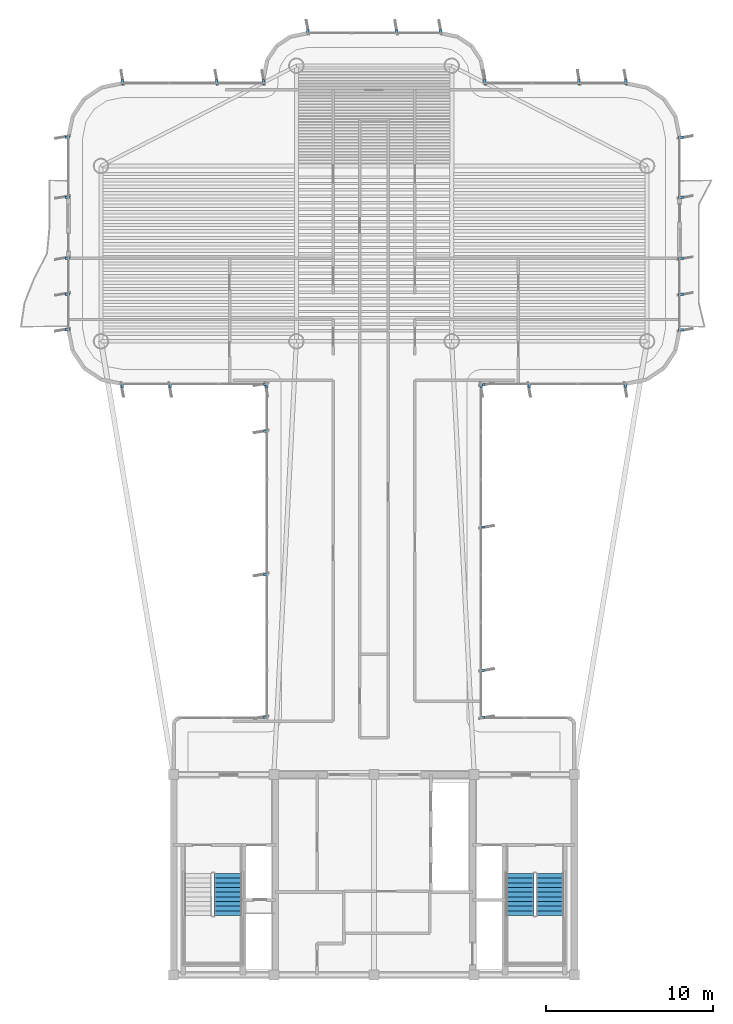
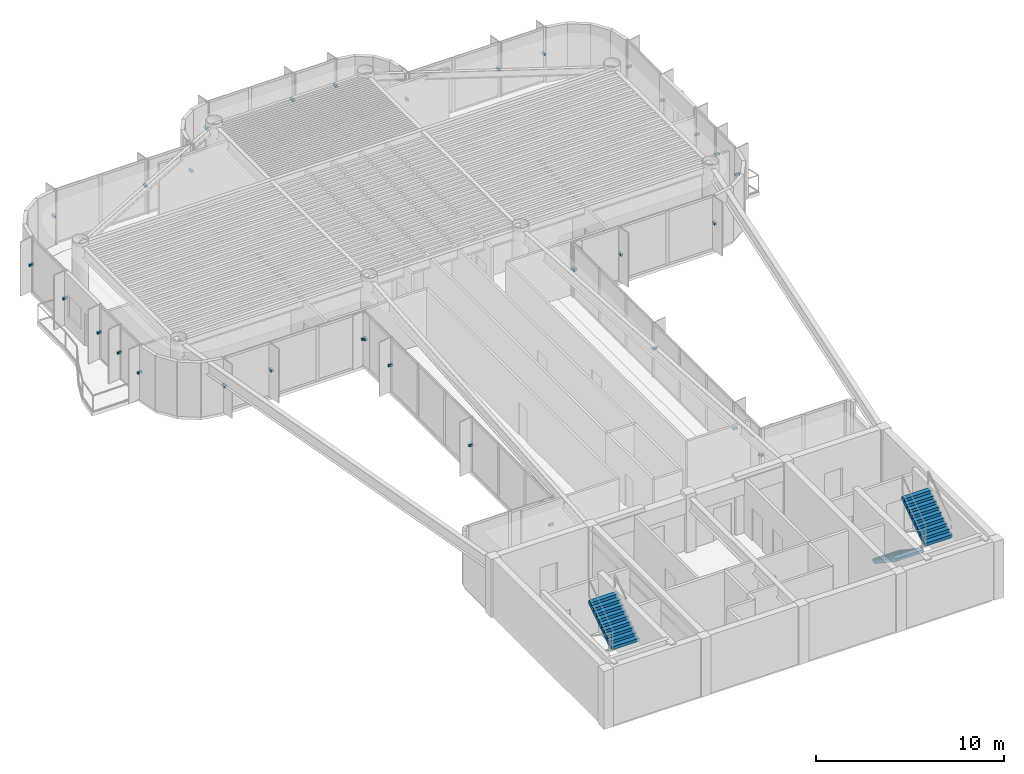
# One storey, part 13 of 15: 33 discrete accessories, 3 stair flights, 2 elements without a shape of their own.
"""IFC4 building model written with IfcOpenShell, lengths in metres."""

from ifc_helpers import new_model, si_unit, direction, frame, origin, origin_2d, place, context, subcontext, project, spatial, polyline, rectangle, outline, extrude, source, transform, mapped, material, type_object, element, aggregate, save


model = new_model("IFC4")

# Units and contexts
model_context = context("Model", 3, precision=1e-05, world=origin(), true_north=direction((0.0, 1.0)))
body_context = subcontext(model_context, "Body", "Model", "MODEL_VIEW")
ifc_project = project(units=[si_unit("LENGTHUNIT", "METRE"), si_unit("AREAUNIT", "SQUARE_METRE"), si_unit("VOLUMEUNIT", "CUBIC_METRE"), si_unit("PLANEANGLEUNIT", "RADIAN"), si_unit("MASSUNIT", "GRAM", prefix="KILO")], contexts=[model_context])

# Site, building, storey
site_placement = place(None, origin())
site = spatial("IfcSite", under=ifc_project, at=site_placement, CompositionType="ELEMENT")
building_placement = place(site_placement, origin())
building = spatial("IfcBuilding", under=site, at=building_placement, Name="Brelvock Crest Care Tower", CompositionType="ELEMENT")
storey_placement = place(building_placement, frame((0.0, 0.0, 249.47998046875)))
storey = spatial("IfcBuildingStorey", under=building, at=storey_placement, Name="L63", CompositionType="ELEMENT", Elevation=249.47998046875)

# Stair, stair flight
ifc_material_1 = material(Name="Concrete N40 (40 MPa)", Category="concrete")
stair_type = type_object("IfcStairType", Name="ST-CORE1", PredefinedType="HALF_TURN_STAIR", material=ifc_material_1)
stair_1_placement = place(storey_placement, origin())
stair_1 = element("IfcStair", 1, at=stair_1_placement, inside=storey, type_object=stair_type, Name="L63 Fire-Isolated Core Stair ST-1", PredefinedType="HALF_TURN_STAIR")
stair_flight_type = type_object("IfcStairFlightType", Name="STF-1", PredefinedType="STRAIGHT", material=ifc_material_1)
stair_flight_1_placement = place(storey_placement, frame((27.27001953125, 9.56005859375, 1.89013671875), z_axis=(0.0, 0.0, 1.0), x_axis=(0.0, 1.0, 0.0)))
stair_flight_1 = element("IfcStairFlight", 2, at=stair_flight_1_placement, type_object=stair_flight_type, Name="ST-1 flight 2", NumberOfRisers=10, NumberOfTreads=9, PredefinedType="STRAIGHT", RiserHeight=0.189, TreadLength=0.28, context=body_context, shape_type="SweptSolid", body=[
    extrude(outline(polyline([(-0.00390625, -0.014892578125), (-0.00390625, -0.0078125), (-0.00390625, -0.00048828125), (-0.00390625, 0.0068359375), (-0.00390625, 0.01416015625), (-0.00390625, 0.021484375), (-0.00390625, 0.02880859375), (-0.00390625, 0.035888671875), (-0.00390625, 0.043212890625), (-0.00390625, 0.050537109375), (-0.00390625, 0.057861328125), (-0.00390625, 0.065185546875), (-0.00390625, 0.072509765625), (-0.00390625, 0.07958984375), (-0.00390625, 0.0869140625), (-0.00390625, 0.09423828125), (-0.00390625, 0.1015625), (-0.00390625, 0.10888671875), (-0.00390625, 0.1162109375), (-0.00390625, 0.12353515625), (-0.00390625, 0.130615234375), (-0.00390625, 0.137939453125), (-0.00390625, 0.145263671875), (-0.00390625, 0.152587890625), (-0.00390625, 0.159912109375), (-0.00390625, 0.167236328125), (-0.00390625, 0.17431640625), (-0.00390625, 0.181640625), (-0.00390625, 0.18896484375), (0.0, 0.18896484375), (0.280029296875, 0.18896484375), (0.280029296875, 0.3779296875), (0.56005859375, 0.3779296875), (0.56005859375, 0.56689453125), (0.840087890625, 0.56689453125), (0.840087890625, 0.756103515625), (1.1201171875, 0.756103515625), (1.1201171875, 0.945068359375), (1.39990234375, 0.945068359375), (1.39990234375, 1.134033203125), (1.679931640625, 1.134033203125), (1.679931640625, 1.322998046875), (1.9599609375, 1.322998046875), (1.9599609375, 1.511962890625), (2.239990234375, 1.511962890625), (2.239990234375, 1.700927734375), (2.52001953125, 1.700927734375), (2.52392578125, 1.700927734375), (2.523681640625, 1.70068359375), (2.52392578125, 1.700439453125), (2.523681640625, 1.699951171875), (2.52392578125, 1.69970703125), (2.523681640625, 1.699462890625), (2.52392578125, 1.698974609375), (2.523681640625, 1.69873046875), (2.52392578125, 1.698486328125), (2.523681640625, 1.697998046875), (2.52392578125, 1.69775390625), (2.523681640625, 1.697509765625), (2.52392578125, 1.697021484375), (2.523681640625, 1.69677734375), (2.52392578125, 1.696533203125), (2.523681640625, 1.6962890625), (2.52392578125, 1.69580078125), (2.523681640625, 1.695556640625), (2.52392578125, 1.6953125), (2.523681640625, 1.69482421875), (2.52392578125, 1.694580078125), (2.523681640625, 1.6943359375), (2.52392578125, 1.69384765625), (2.523681640625, 1.693603515625), (2.52392578125, 1.693359375), (2.523681640625, 1.69287109375), (2.52392578125, 1.692626953125), (2.523681640625, 1.6923828125), (2.52392578125, 1.69189453125), (2.52001953125, 1.520263671875), (0.267822265625, 0.0), (0.0, 0.0), (0.0, -0.014892578125), (-0.00390625, -0.014892578125)])), frame((0.0, 0.83984375, 0.0), z_axis=(0.0, -1.0, 0.0), x_axis=(1.0, 0.0, 0.0)), (0.0, 0.0, 1.0), 1.679931640625),
])
aggregate(stair_1, [stair_flight_1])

# Stair, stair flights
stair_2_placement = place(storey_placement, origin())
stair_2 = element("IfcStair", 3, at=stair_2_placement, inside=storey, type_object=stair_type, Name="L63 Fire-Isolated Core Stair ST-2", PredefinedType="HALF_TURN_STAIR")
stair_flight_2_placement = place(storey_placement, frame((44.72998046875, 12.080078125, 0.0), z_axis=(0.0, 0.0, 1.0), x_axis=(0.0, -1.0, 0.0)))
stair_flight_2 = element("IfcStairFlight", 4, at=stair_flight_2_placement, type_object=stair_flight_type, Name="ST-2 flight 1", NumberOfRisers=10, NumberOfTreads=9, PredefinedType="STRAIGHT", RiserHeight=0.189, TreadLength=0.28, context=body_context, shape_type="SweptSolid", body=[
    extrude(outline(polyline([(-0.00390625, -0.014892578125), (-0.00390625, -0.0078125), (-0.00390625, -0.00048828125), (-0.00390625, 0.0068359375), (-0.00390625, 0.01416015625), (-0.00390625, 0.021484375), (-0.00390625, 0.02880859375), (-0.00390625, 0.035888671875), (-0.00390625, 0.043212890625), (-0.00390625, 0.050537109375), (-0.00390625, 0.057861328125), (-0.00390625, 0.065185546875), (-0.00390625, 0.072509765625), (-0.00390625, 0.07958984375), (-0.00390625, 0.0869140625), (-0.00390625, 0.09423828125), (-0.00390625, 0.1015625), (-0.00390625, 0.10888671875), (-0.00390625, 0.1162109375), (-0.00390625, 0.12353515625), (-0.00390625, 0.130615234375), (-0.00390625, 0.137939453125), (-0.00390625, 0.145263671875), (-0.00390625, 0.152587890625), (-0.00390625, 0.159912109375), (-0.00390625, 0.167236328125), (-0.00390625, 0.17431640625), (-0.00390625, 0.181640625), (-0.00390625, 0.18896484375), (0.0, 0.18896484375), (0.280029296875, 0.18896484375), (0.280029296875, 0.3779296875), (0.56005859375, 0.3779296875), (0.56005859375, 0.56689453125), (0.840087890625, 0.56689453125), (0.840087890625, 0.756103515625), (1.1201171875, 0.756103515625), (1.1201171875, 0.945068359375), (1.39990234375, 0.945068359375), (1.39990234375, 1.134033203125), (1.679931640625, 1.134033203125), (1.679931640625, 1.322998046875), (1.9599609375, 1.322998046875), (1.9599609375, 1.511962890625), (2.239990234375, 1.511962890625), (2.239990234375, 1.700927734375), (2.52001953125, 1.700927734375), (2.52392578125, 1.700927734375), (2.523681640625, 1.70068359375), (2.52392578125, 1.700439453125), (2.523681640625, 1.699951171875), (2.52392578125, 1.69970703125), (2.523681640625, 1.699462890625), (2.52392578125, 1.698974609375), (2.523681640625, 1.69873046875), (2.52392578125, 1.698486328125), (2.523681640625, 1.697998046875), (2.52392578125, 1.69775390625), (2.523681640625, 1.697509765625), (2.52392578125, 1.697021484375), (2.523681640625, 1.69677734375), (2.52392578125, 1.696533203125), (2.523681640625, 1.6962890625), (2.52392578125, 1.69580078125), (2.523681640625, 1.695556640625), (2.52392578125, 1.6953125), (2.523681640625, 1.69482421875), (2.52392578125, 1.694580078125), (2.523681640625, 1.6943359375), (2.52392578125, 1.69384765625), (2.523681640625, 1.693603515625), (2.52392578125, 1.693359375), (2.523681640625, 1.69287109375), (2.52392578125, 1.692626953125), (2.523681640625, 1.6923828125), (2.52392578125, 1.69189453125), (2.52001953125, 1.520263671875), (0.267822265625, 0.0), (0.0, 0.0), (0.0, -0.014892578125), (-0.00390625, -0.014892578125)])), frame((0.0, 0.83984375, 0.0), z_axis=(0.0, -1.0, 0.0), x_axis=(1.0, 0.0, 0.0)), (0.0, 0.0, 1.0), 1.679931640625),
])
stair_flight_3_placement = place(storey_placement, frame((46.530029296875, 9.56005859375, 1.89013671875), z_axis=(0.0, 0.0, 1.0), x_axis=(0.0, 1.0, 0.0)))
stair_flight_3 = element("IfcStairFlight", 5, at=stair_flight_3_placement, type_object=stair_flight_type, Name="ST-2 flight 2", NumberOfRisers=10, NumberOfTreads=9, PredefinedType="STRAIGHT", RiserHeight=0.189, TreadLength=0.28, context=body_context, shape_type="SweptSolid", body=[
    extrude(outline(polyline([(-0.00390625, -0.014892578125), (-0.00390625, -0.0078125), (-0.00390625, -0.00048828125), (-0.00390625, 0.0068359375), (-0.00390625, 0.01416015625), (-0.00390625, 0.021484375), (-0.00390625, 0.02880859375), (-0.00390625, 0.035888671875), (-0.00390625, 0.043212890625), (-0.00390625, 0.050537109375), (-0.00390625, 0.057861328125), (-0.00390625, 0.065185546875), (-0.00390625, 0.072509765625), (-0.00390625, 0.07958984375), (-0.00390625, 0.0869140625), (-0.00390625, 0.09423828125), (-0.00390625, 0.1015625), (-0.00390625, 0.10888671875), (-0.00390625, 0.1162109375), (-0.00390625, 0.12353515625), (-0.00390625, 0.130615234375), (-0.00390625, 0.137939453125), (-0.00390625, 0.145263671875), (-0.00390625, 0.152587890625), (-0.00390625, 0.159912109375), (-0.00390625, 0.167236328125), (-0.00390625, 0.17431640625), (-0.00390625, 0.181640625), (-0.00390625, 0.18896484375), (0.0, 0.18896484375), (0.280029296875, 0.18896484375), (0.280029296875, 0.3779296875), (0.56005859375, 0.3779296875), (0.56005859375, 0.56689453125), (0.840087890625, 0.56689453125), (0.840087890625, 0.756103515625), (1.1201171875, 0.756103515625), (1.1201171875, 0.945068359375), (1.39990234375, 0.945068359375), (1.39990234375, 1.134033203125), (1.679931640625, 1.134033203125), (1.679931640625, 1.322998046875), (1.9599609375, 1.322998046875), (1.9599609375, 1.511962890625), (2.239990234375, 1.511962890625), (2.239990234375, 1.700927734375), (2.52001953125, 1.700927734375), (2.52392578125, 1.700927734375), (2.523681640625, 1.70068359375), (2.52392578125, 1.700439453125), (2.523681640625, 1.699951171875), (2.52392578125, 1.69970703125), (2.523681640625, 1.699462890625), (2.52392578125, 1.698974609375), (2.523681640625, 1.69873046875), (2.52392578125, 1.698486328125), (2.523681640625, 1.697998046875), (2.52392578125, 1.69775390625), (2.523681640625, 1.697509765625), (2.52392578125, 1.697021484375), (2.523681640625, 1.69677734375), (2.52392578125, 1.696533203125), (2.523681640625, 1.6962890625), (2.52392578125, 1.69580078125), (2.523681640625, 1.695556640625), (2.52392578125, 1.6953125), (2.523681640625, 1.69482421875), (2.52392578125, 1.694580078125), (2.523681640625, 1.6943359375), (2.52392578125, 1.69384765625), (2.523681640625, 1.693603515625), (2.52392578125, 1.693359375), (2.523681640625, 1.69287109375), (2.52392578125, 1.692626953125), (2.523681640625, 1.6923828125), (2.52392578125, 1.69189453125), (2.52001953125, 1.520263671875), (0.267822265625, 0.0), (0.0, 0.0), (0.0, -0.014892578125), (-0.00390625, -0.014892578125)])), frame((0.0, 0.83984375, 0.0), z_axis=(0.0, -1.0, 0.0), x_axis=(1.0, 0.0, 0.0)), (0.0, 0.0, 1.0), 1.679931640625),
])
aggregate(stair_2, [stair_flight_2, stair_flight_3])

# Discrete accessories
ifc_material_2 = material(Name="Steel Grade 350", Category="steel")
discrete_accessory_type = type_object("IfcDiscreteAccessoryType", Name="ACC-BRK1", PredefinedType="BRACKET", material=ifc_material_2)
shared_shape = source(origin(), body_context, "Body", "SweptSolid", [
    extrude(rectangle(XDim=0.280029296875, YDim=0.139892578125, at=origin_2d()), origin(), (0.0, 0.0, 1.0), 0.139892578125),
])
for number, where, z_axis, x_axis, name in (
    (6, (29.52001953125, 21.429931640625, 1.6953125), (0.0, 0.0, 1.0), (-1.0, 0.0, 0.0), "L63 Facade Fin Bracket E11-01"),
    (7, (29.52001953125, 29.971435546875, 1.6953125), (0.0, 0.0, 1.0), (-1.0, 0.0, 0.0), "L63 Facade Fin Bracket E11-04"),
    (8, (29.52001953125, 38.54296875, 1.6953125), (0.0, 0.0, 1.0), (-1.0, 0.0, 0.0), "L63 Facade Fin Bracket E11-07"),
    (9, (29.52001953125, 41.3701171875, 1.6953125), (0.0, 0.0, 1.0), (-1.0, 0.0, 0.0), "L63 Facade Fin Bracket E11-08"),
    (10, (29.570068359375, 41.320068359375, 1.6953125), (0.0, 0.0, 1.0), (0.0, -1.0, 0.0), "L63 Facade Fin Bracket E12-01"),
    (11, (23.800048828125, 41.320068359375, 1.6953125), (0.0, 0.0, 1.0), (0.0, -1.0, 0.0), "L63 Facade Fin Bracket E12-03"),
    (12, (20.929931640625, 41.320068359375, 1.6953125), (0.0, 0.0, 1.0), (0.0, -1.0, 0.0), "L63 Facade Fin Bracket E12-04"),
    (13, (17.6201171875, 44.6298828125, 1.6953125), (0.0, 0.0, 1.0), (-1.0, 0.0, 0.0), "L63 Facade Fin Bracket E17A-01"),
    (14, (17.6201171875, 46.77490234375, 1.6953125), (0.0, 0.0, 1.0), (-1.0, 0.0, 0.0), "L63 Facade Fin Bracket E17A-02"),
    (15, (17.6201171875, 48.919921875, 1.6953125), (0.0, 0.0, 1.0), (-1.0, 0.0, 0.0), "L63 Facade Fin Bracket E17A-03"),
    (16, (17.6201171875, 52.580078125, 1.6953125), (0.0, 0.0, 1.0), (-1.0, 0.0, 0.0), "L63 Facade Fin Bracket E17B-01"),
    (17, (17.6201171875, 56.169921875, 1.6953125), (0.0, 0.0, 1.0), (-1.0, 0.0, 0.0), "L63 Facade Fin Bracket E17B-02"),
    (18, (20.929931640625, 59.47998046875, 1.6953125), (0.0, 0.0, 1.0), (0.0, 1.0, 0.0), "L63 Facade Fin Bracket E22-01"),
    (19, (26.566650390625, 59.47998046875, 1.6953125), (0.0, 0.0, 1.0), (0.0, 1.0, 0.0), "L63 Facade Fin Bracket E22-03"),
    (20, (29.3701171875, 59.47998046875, 1.6953125), (0.0, 0.0, 1.0), (0.0, 1.0, 0.0), "L63 Facade Fin Bracket E22-04"),
    (21, (32.030029296875, 62.47998046875, 1.6953125), (0.0, 0.0, 1.0), (0.0, 1.0, 0.0), "L63 Facade Fin Bracket E28-01"),
    (22, (37.333251953125, 62.47998046875, 1.6953125), (0.0, 0.0, 1.0), (0.0, 1.0, 0.0), "L63 Facade Fin Bracket E28-03"),
    (23, (39.969970703125, 62.47998046875, 1.6953125), (0.0, 0.0, 1.0), (0.0, 1.0, 0.0), "L63 Facade Fin Bracket E28-04"),
    (24, (42.6298828125, 59.47998046875, 1.6953125), (0.0, 0.0, 1.0), (0.0, 1.0, 0.0), "L63 Facade Fin Bracket E34-01"),
    (25, (48.2666015625, 59.47998046875, 1.6953125), (0.0, 0.0, 1.0), (0.0, 1.0, 0.0), "L63 Facade Fin Bracket E34-03"),
    (26, (51.070068359375, 59.47998046875, 1.6953125), (0.0, 0.0, 1.0), (0.0, 1.0, 0.0), "L63 Facade Fin Bracket E34-04"),
    (27, (54.3798828125, 56.169921875, 1.6953125), (0.0, 0.0, 1.0), (1.0, 0.0, 0.0), "L63 Facade Fin Bracket E39A-01"),
    (28, (54.3798828125, 52.580078125, 1.6953125), (0.0, 0.0, 1.0), (1.0, 0.0, 0.0), "L63 Facade Fin Bracket E39A-02"),
    (29, (54.3798828125, 48.919921875, 1.6953125), (0.0, 0.0, 1.0), (1.0, 0.0, 0.0), "L63 Facade Fin Bracket E39B-01"),
    (30, (54.3798828125, 46.77490234375, 1.6953125), (0.0, 0.0, 1.0), (1.0, 0.0, 0.0), "L63 Facade Fin Bracket E39B-02"),
    (31, (54.3798828125, 44.6298828125, 1.6953125), (0.0, 0.0, 1.0), (1.0, 0.0, 0.0), "L63 Facade Fin Bracket E39B-03"),
    (32, (51.070068359375, 41.320068359375, 1.6953125), (0.0, 0.0, 1.0), (0.0, -1.0, 0.0), "L63 Facade Fin Bracket E44-01"),
    (33, (45.300048828125, 41.320068359375, 1.6953125), (0.0, 0.0, 1.0), (0.0, -1.0, 0.0), "L63 Facade Fin Bracket E44-03"),
    (34, (42.429931640625, 41.320068359375, 1.6953125), (0.0, 0.0, 1.0), (0.0, -1.0, 0.0), "L63 Facade Fin Bracket E44-04"),
    (35, (42.47998046875, 41.3701171875, 1.6953125), (0.0, 0.0, 1.0), (1.0, 0.0, 0.0), "L63 Facade Fin Bracket E45-01"),
    (36, (42.47998046875, 32.82861328125, 1.6953125), (0.0, 0.0, 1.0), (1.0, 0.0, 0.0), "L63 Facade Fin Bracket E45-04"),
    (37, (42.47998046875, 24.257080078125, 1.6953125), (0.0, 0.0, 1.0), (1.0, 0.0, 0.0), "L63 Facade Fin Bracket E45-07"),
    (38, (42.47998046875, 21.429931640625, 1.6953125), (0.0, 0.0, 1.0), (1.0, 0.0, 0.0), "L63 Facade Fin Bracket E45-08"),
):
    element("IfcDiscreteAccessory", number, at=place(storey_placement, frame(where, z_axis=z_axis, x_axis=x_axis)), inside=storey, type_object=discrete_accessory_type, Name=name, PredefinedType="BRACKET", context=body_context, shape_type="MappedRepresentation", body=[
        mapped(shared_shape, transform((0.0, 0.0, 0.0), x_axis=(1.0, 0.0, 0.0), y_axis=(0.0, 1.0, 0.0), z_axis=(0.0, 0.0, 1.0), scale=1.0)),
    ])

save(model, "model.ifc")
